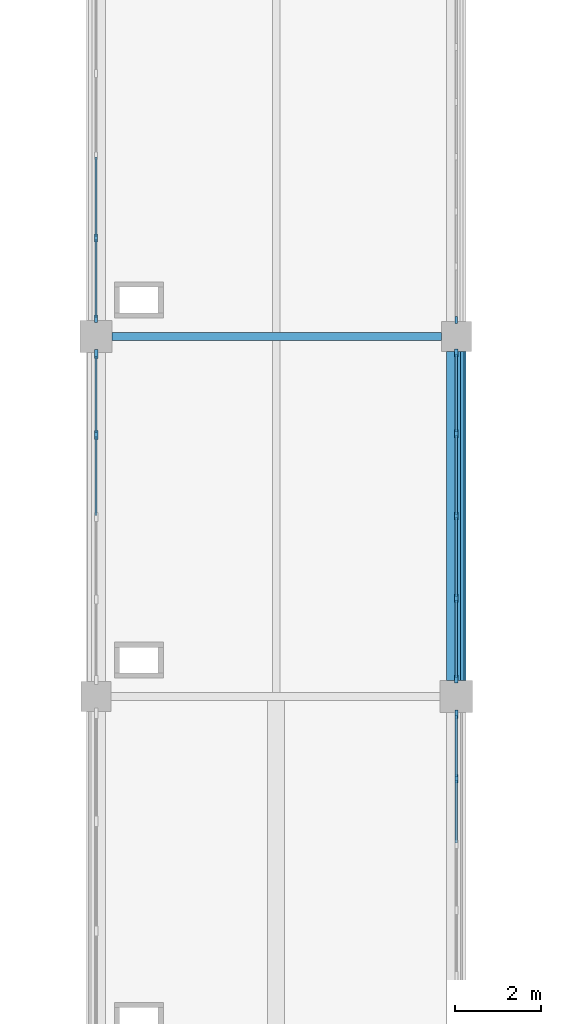
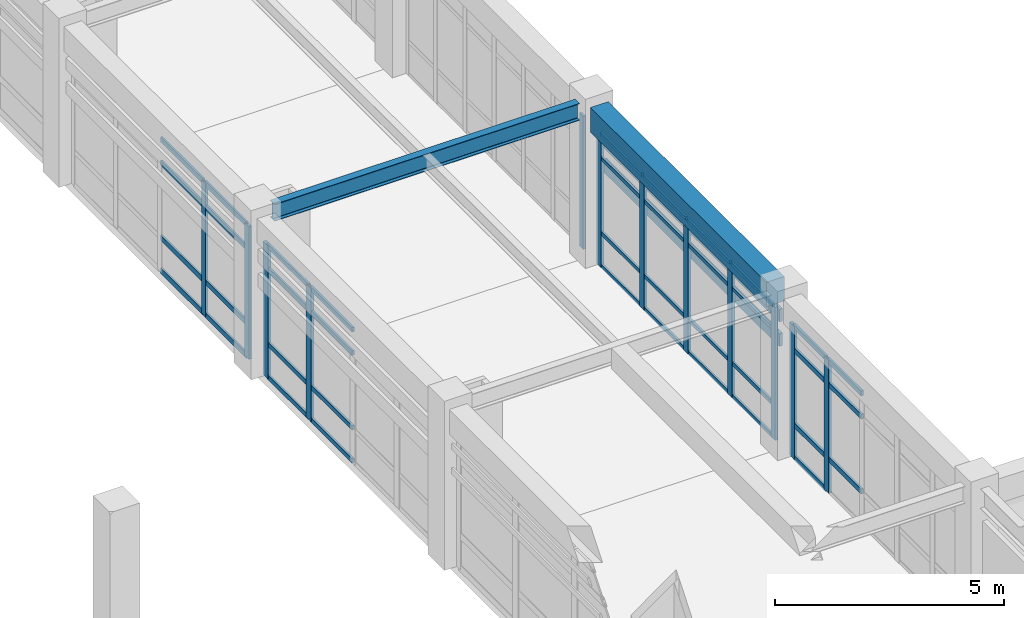
# One storey, part 12 of 78: 53 members, 2 beams, 5 elements without a shape of their own.
"""IFC4 building model written with IfcOpenShell, lengths in metres."""

from ifc_helpers import new_model, si_unit, direction, frame, origin, origin_2d, place, context, subcontext, project, spatial, rectangle, i_section, extrude, material, layer, layer_set, material_profile, profile_set, type_object, element, aggregate, save


model = new_model("IFC4")

# Units and contexts
model_context = context("Model", 3, precision=1e-05, world=origin(), true_north=direction((0.0, 1.0)))
body_context = subcontext(model_context, "Body", "Model", "MODEL_VIEW")
ifc_project = project(units=[si_unit("LENGTHUNIT", "METRE"), si_unit("AREAUNIT", "SQUARE_METRE"), si_unit("VOLUMEUNIT", "CUBIC_METRE"), si_unit("PLANEANGLEUNIT", "RADIAN"), si_unit("MASSUNIT", "GRAM", prefix="KILO")], contexts=[model_context])

# Site, building, storey
site_placement = place(None, origin())
site = spatial("IfcSite", under=ifc_project, at=site_placement, CompositionType="ELEMENT")
building_placement = place(site_placement, origin())
building = spatial("IfcBuilding", under=site, at=building_placement, Name="Porcellanite Civic Hall", CompositionType="ELEMENT")
storey_placement = place(building_placement, frame((0.0, 0.0, 10.260009765625)))
storey = spatial("IfcBuildingStorey", under=building, at=storey_placement, Name="L02", CompositionType="ELEMENT", Elevation=10.260009765625)

# Beam
ifc_material_1 = material(Name="Concrete N50 (50 MPa)", Category="concrete")
ifc_material_profile_1 = material_profile(ifc_material_1, rectangle(XDim=0.449951171875, YDim=0.64990234375, at=origin_2d()), Name="RC-450x650")
ifc_profile_set_1 = profile_set([ifc_material_profile_1], Name="Concrete N50 (50 MPa)")
beam_type_1 = type_object("IfcBeamType", Name="BM-RC650", PredefinedType="SPANDREL", material=ifc_profile_set_1)
beam_1_placement = place(storey_placement, frame((58.800048828125, 75.974609375, 3.9150390625), z_axis=(0.0, 1.0, 0.0), x_axis=(-1.0, 0.0, 0.0)))
element("IfcBeam", 1, at=beam_1_placement, inside=storey, type_object=beam_type_1, Name="Beam Y L02 8-10", PredefinedType="SPANDREL", context=body_context, shape_type="SweptSolid", body=[
    extrude(rectangle(XDim=0.449951171875, YDim=0.64990234375, at=origin_2d()), origin(), (0.0, 0.0, 1.0), 7.67578125),
])

# Curtain wall, members
ifc_material_2 = material(Name="Anodised aluminium and solar laminated glass", Category="aluminium")
ifc_layer_1 = layer(ifc_material_2, 0.179931640625)
ifc_layer_set_1 = layer_set([ifc_layer_1], Name="Anodised aluminium and solar laminated glass")
curtain_wall_type_1 = type_object("IfcCurtainWallType", Name="CW-SYS03", PredefinedType="NOTDEFINED", material=ifc_layer_set_1)
curtain_wall_1_placement = place(storey_placement, origin())
curtain_wall_1 = element("IfcCurtainWall", 2, at=curtain_wall_1_placement, inside=storey, type_object=curtain_wall_type_1, Name="Curtain wall CW-144", PredefinedType="NOTDEFINED")
ifc_material_3 = material(Name="Anodised aluminium 6063-T6", Category="aluminium")
ifc_material_profile_2 = material_profile(ifc_material_3, rectangle(XDim=0.080078125, YDim=0.2099609375, at=origin_2d()), Name="AL-80x210")
ifc_profile_set_2 = profile_set([ifc_material_profile_2], Name="Anodised aluminium 6063-T6")
member_type_1 = type_object("IfcMemberType", Name="CWM-02", PredefinedType="MULLION", material=ifc_profile_set_2)
member_1_placement = place(storey_placement, frame((50.39990234375, 81.705810546875, 0.0), z_axis=(0.0, 0.0, 1.0), x_axis=(-1.0, 0.0, 0.0)))
member_1 = element("IfcMember", 3, at=member_1_placement, type_object=member_type_1, Name="CW-144 mullion 4", PredefinedType="MULLION", context=body_context, shape_type="SweptSolid", body=[
    extrude(rectangle(XDim=0.080078125, YDim=0.2099609375, at=origin_2d()), origin(), (0.0, 0.0, 1.0), 3.5400390625),
])
member_2_placement = place(storey_placement, frame((50.39990234375, 83.583984375, 0.0), z_axis=(0.0, 0.0, 1.0), x_axis=(-1.0, 0.0, 0.0)))
member_2 = element("IfcMember", 4, at=member_2_placement, type_object=member_type_1, Name="CW-144 mullion 5", PredefinedType="MULLION", context=body_context, shape_type="SweptSolid", body=[
    extrude(rectangle(XDim=0.080078125, YDim=0.2099609375, at=origin_2d()), origin(), (0.0, 0.0, 1.0), 3.5400390625),
])

ifc_material_4 = material(Name="Anodised aluminium and solar laminated glass", Category="aluminium")
ifc_layer_2 = layer(ifc_material_4, 0.179931640625)
ifc_layer_set_2 = layer_set([ifc_layer_2], Name="Anodised aluminium and solar laminated glass")
curtain_wall_type_2 = type_object("IfcCurtainWallType", Name="CW-SYS04", PredefinedType="NOTDEFINED", material=ifc_layer_set_2)
curtain_wall_2_placement = place(storey_placement, origin())
curtain_wall_2 = element("IfcCurtainWall", 5, at=curtain_wall_2_placement, inside=storey, type_object=curtain_wall_type_2, Name="Curtain wall CW-145", PredefinedType="NOTDEFINED")
ifc_material_5 = material(Name="Anodised aluminium 6063-T6", Category="aluminium")
ifc_material_profile_3 = material_profile(ifc_material_5, rectangle(XDim=0.074951171875, YDim=0.18994140625, at=origin_2d()), Name="AL-75x190")
ifc_profile_set_3 = profile_set([ifc_material_profile_3], Name="Anodised aluminium 6063-T6")
member_type_2 = type_object("IfcMemberType", Name="CWM-04", PredefinedType="MULLION", material=ifc_profile_set_3)
member_3_placement = place(storey_placement, frame((58.800048828125, 83.611572265625, 0.0), z_axis=(0.0, 0.0, 1.0), x_axis=(1.0, 0.0, 0.0)))
member_3 = element("IfcMember", 6, at=member_3_placement, type_object=member_type_2, Name="CW-145 mullion 1", PredefinedType="MULLION", context=body_context, shape_type="SweptSolid", body=[
    extrude(rectangle(XDim=0.074951171875, YDim=0.18994140625, at=origin_2d()), origin(), (0.0, 0.0, 1.0), 3.5400390625),
])
member_4_placement = place(storey_placement, frame((58.800048828125, 81.730712890625, 0.0), z_axis=(0.0, 0.0, 1.0), x_axis=(1.0, 0.0, 0.0)))
member_4 = element("IfcMember", 7, at=member_4_placement, type_object=member_type_2, Name="CW-145 mullion 2", PredefinedType="MULLION", context=body_context, shape_type="SweptSolid", body=[
    extrude(rectangle(XDim=0.074951171875, YDim=0.18994140625, at=origin_2d()), origin(), (0.0, 0.0, 1.0), 3.5400390625),
])
member_5_placement = place(storey_placement, frame((58.800048828125, 79.8125, 0.0), z_axis=(0.0, 0.0, 1.0), x_axis=(1.0, 0.0, 0.0)))
member_5 = element("IfcMember", 8, at=member_5_placement, type_object=member_type_2, Name="CW-145 mullion 3", PredefinedType="MULLION", context=body_context, shape_type="SweptSolid", body=[
    extrude(rectangle(XDim=0.074951171875, YDim=0.18994140625, at=origin_2d()), origin(), (0.0, 0.0, 1.0), 3.5400390625),
])
member_6_placement = place(storey_placement, frame((58.800048828125, 77.894287109375, 0.0), z_axis=(0.0, 0.0, 1.0), x_axis=(1.0, 0.0, 0.0)))
member_6 = element("IfcMember", 9, at=member_6_placement, type_object=member_type_2, Name="CW-145 mullion 4", PredefinedType="MULLION", context=body_context, shape_type="SweptSolid", body=[
    extrude(rectangle(XDim=0.074951171875, YDim=0.18994140625, at=origin_2d()), origin(), (0.0, 0.0, 1.0), 3.5400390625),
])
member_7_placement = place(storey_placement, frame((58.800048828125, 76.013427734375, 0.0), z_axis=(0.0, 0.0, 1.0), x_axis=(1.0, 0.0, 0.0)))
member_7 = element("IfcMember", 10, at=member_7_placement, type_object=member_type_2, Name="CW-145 mullion 5", PredefinedType="MULLION", context=body_context, shape_type="SweptSolid", body=[
    extrude(rectangle(XDim=0.074951171875, YDim=0.18994140625, at=origin_2d()), origin(), (0.0, 0.0, 1.0), 3.5400390625),
])

ifc_material_6 = material(Name="Anodised aluminium and solar laminated glass", Category="aluminium")
ifc_layer_3 = layer(ifc_material_6, 0.179931640625)
ifc_layer_set_3 = layer_set([ifc_layer_3], Name="Anodised aluminium and solar laminated glass")
curtain_wall_type_3 = type_object("IfcCurtainWallType", Name="CW-SYS01", PredefinedType="NOTDEFINED", material=ifc_layer_set_3)
curtain_wall_3_placement = place(storey_placement, origin())
curtain_wall_3 = element("IfcCurtainWall", 11, at=curtain_wall_3_placement, inside=storey, type_object=curtain_wall_type_3, Name="Curtain wall CW-143", PredefinedType="NOTDEFINED")
ifc_material_7 = material(Name="Anodised aluminium 6063-T6", Category="aluminium")
ifc_material_profile_4 = material_profile(ifc_material_7, rectangle(XDim=0.070068359375, YDim=0.199951171875, at=origin_2d()), Name="AL-70x200")
ifc_profile_set_4 = profile_set([ifc_material_profile_4], Name="Anodised aluminium 6063-T6")
member_type_3 = type_object("IfcMemberType", Name="CWM-05", PredefinedType="MULLION", material=ifc_profile_set_4)
member_8_placement = place(storey_placement, frame((58.800048828125, 75.18896484375, 0.0), z_axis=(0.0, 0.0, 1.0), x_axis=(1.0, 0.0, 0.0)))
member_8 = element("IfcMember", 12, at=member_8_placement, type_object=member_type_3, Name="CW-143 mullion 1", PredefinedType="MULLION", context=body_context, shape_type="SweptSolid", body=[
    extrude(rectangle(XDim=0.070068359375, YDim=0.199951171875, at=origin_2d()), origin(), (0.0, 0.0, 1.0), 3.5400390625),
])
member_9_placement = place(storey_placement, frame((58.800048828125, 73.689453125, 0.0), z_axis=(0.0, 0.0, 1.0), x_axis=(1.0, 0.0, 0.0)))
member_9 = element("IfcMember", 13, at=member_9_placement, type_object=member_type_3, Name="CW-143 mullion 2", PredefinedType="MULLION", context=body_context, shape_type="SweptSolid", body=[
    extrude(rectangle(XDim=0.070068359375, YDim=0.199951171875, at=origin_2d()), origin(), (0.0, 0.0, 1.0), 3.5400390625),
])

ifc_material_8 = material(Name="Anodised aluminium and solar laminated glass", Category="aluminium")
ifc_layer_4 = layer(ifc_material_8, 0.179931640625)
ifc_layer_set_4 = layer_set([ifc_layer_4], Name="Anodised aluminium and solar laminated glass")
curtain_wall_type_4 = type_object("IfcCurtainWallType", Name="CW-SYS06", PredefinedType="NOTDEFINED", material=ifc_layer_set_4)
curtain_wall_4_placement = place(storey_placement, origin())
curtain_wall_4 = element("IfcCurtainWall", 14, at=curtain_wall_4_placement, inside=storey, type_object=curtain_wall_type_4, Name="Curtain wall CW-146", PredefinedType="NOTDEFINED")
ifc_material_9 = material(Name="Anodised aluminium 6063-T6", Category="aluminium")
ifc_material_profile_5 = material_profile(ifc_material_9, rectangle(XDim=0.06494140625, YDim=0.179931640625, at=origin_2d()), Name="AL-65x180")
ifc_profile_set_5 = profile_set([ifc_material_profile_5], Name="Anodised aluminium 6063-T6")
member_type_4 = type_object("IfcMemberType", Name="CWM-06", PredefinedType="MULLION", material=ifc_profile_set_5)
member_10_placement = place(storey_placement, frame((50.39990234375, 84.408447265625, 0.0), z_axis=(0.0, 0.0, 1.0), x_axis=(-1.0, 0.0, 0.0)))
member_10 = element("IfcMember", 15, at=member_10_placement, type_object=member_type_4, Name="CW-146 mullion 1", PredefinedType="MULLION", context=body_context, shape_type="SweptSolid", body=[
    extrude(rectangle(XDim=0.06494140625, YDim=0.179931640625, at=origin_2d()), origin(), (0.0, 0.0, 1.0), 3.5400390625),
])
member_11_placement = place(storey_placement, frame((50.39990234375, 86.294189453125, 0.0), z_axis=(0.0, 0.0, 1.0), x_axis=(-1.0, 0.0, 0.0)))
member_11 = element("IfcMember", 16, at=member_11_placement, type_object=member_type_4, Name="CW-146 mullion 2", PredefinedType="MULLION", context=body_context, shape_type="SweptSolid", body=[
    extrude(rectangle(XDim=0.06494140625, YDim=0.179931640625, at=origin_2d()), origin(), (0.0, 0.0, 1.0), 3.5400390625),
])

# Curtain wall, member
ifc_material_10 = material(Name="Anodised aluminium and solar laminated glass", Category="aluminium")
ifc_layer_5 = layer(ifc_material_10, 0.179931640625)
ifc_layer_set_5 = layer_set([ifc_layer_5], Name="Anodised aluminium and solar laminated glass")
curtain_wall_type_5 = type_object("IfcCurtainWallType", Name="CW-SYS07", PredefinedType="NOTDEFINED", material=ifc_layer_set_5)
curtain_wall_5_placement = place(storey_placement, origin())
curtain_wall_5 = element("IfcCurtainWall", 17, at=curtain_wall_5_placement, inside=storey, type_object=curtain_wall_type_5, Name="Curtain wall CW-147", PredefinedType="NOTDEFINED")
ifc_material_11 = material(Name="Anodised aluminium 6063-T6", Category="aluminium")
ifc_material_profile_6 = material_profile(ifc_material_11, rectangle(XDim=0.06005859375, YDim=0.159912109375, at=origin_2d()), Name="AL-60x160")
ifc_profile_set_6 = profile_set([ifc_material_profile_6], Name="Anodised aluminium 6063-T6")
member_type_5 = type_object("IfcMemberType", Name="CWM-07", PredefinedType="MULLION", material=ifc_profile_set_6)
member_12_placement = place(storey_placement, frame((58.800048828125, 84.381103515625, 0.0), z_axis=(0.0, 0.0, 1.0), x_axis=(1.0, 0.0, 0.0)))
member_12 = element("IfcMember", 18, at=member_12_placement, type_object=member_type_5, Name="CW-147 mullion 7", PredefinedType="MULLION", context=body_context, shape_type="SweptSolid", body=[
    extrude(rectangle(XDim=0.06005859375, YDim=0.159912109375, at=origin_2d()), origin(), (0.0, 0.0, 1.0), 3.5400390625),
])
aggregate(curtain_wall_5, [member_12])

# Member
ifc_material_12 = material(Name="Anodised aluminium 6063-T6", Category="aluminium")
ifc_material_profile_7 = material_profile(ifc_material_12, rectangle(XDim=0.06005859375, YDim=0.1298828125, at=origin_2d()), Name="AL-60x130")
ifc_profile_set_7 = profile_set([ifc_material_profile_7], Name="Anodised aluminium 6063-T6")
member_type_6 = type_object("IfcMemberType", Name="CWT-03", PredefinedType="USERDEFINED", material=ifc_profile_set_7)
member_13_placement = place(storey_placement, frame((58.800048828125, 75.154052734375, 0.030029296875), z_axis=(0.0, -1.0, 0.0), x_axis=(1.0, 0.0, 0.0)))
member_13 = element("IfcMember", 19, at=member_13_placement, type_object=member_type_6, Name="CW-143 transom 1.1", ObjectType="TRANSOM", PredefinedType="USERDEFINED", context=body_context, shape_type="SweptSolid", body=[
    extrude(rectangle(XDim=0.06005859375, YDim=0.1298828125, at=origin_2d()), origin(), (0.0, 0.0, 1.0), 1.4296875),
])

member_14_placement = place(storey_placement, frame((58.800048828125, 75.154052734375, 0.89990234375), z_axis=(0.0, -1.0, 0.0), x_axis=(1.0, 0.0, 0.0)))
member_14 = element("IfcMember", 20, at=member_14_placement, type_object=member_type_6, Name="CW-143 transom 1.2", ObjectType="TRANSOM", PredefinedType="USERDEFINED", context=body_context, shape_type="SweptSolid", body=[
    extrude(rectangle(XDim=0.06005859375, YDim=0.1298828125, at=origin_2d()), origin(), (0.0, 0.0, 1.0), 1.4296875),
])

member_15_placement = place(storey_placement, frame((58.800048828125, 75.154052734375, 2.889892578125), z_axis=(0.0, -1.0, 0.0), x_axis=(1.0, 0.0, 0.0)))
member_15 = element("IfcMember", 21, at=member_15_placement, type_object=member_type_6, Name="CW-143 transom 1.3", ObjectType="TRANSOM", PredefinedType="USERDEFINED", context=body_context, shape_type="SweptSolid", body=[
    extrude(rectangle(XDim=0.06005859375, YDim=0.1298828125, at=origin_2d()), origin(), (0.0, 0.0, 1.0), 1.4296875),
])

member_16_placement = place(storey_placement, frame((58.800048828125, 75.154052734375, 3.510009765625), z_axis=(0.0, -1.0, 0.0), x_axis=(1.0, 0.0, 0.0)))
member_16 = element("IfcMember", 22, at=member_16_placement, type_object=member_type_6, Name="CW-143 transom 1.4", ObjectType="TRANSOM", PredefinedType="USERDEFINED", context=body_context, shape_type="SweptSolid", body=[
    extrude(rectangle(XDim=0.06005859375, YDim=0.1298828125, at=origin_2d()), origin(), (0.0, 0.0, 1.0), 1.4296875),
])

member_17_placement = place(storey_placement, frame((58.800048828125, 73.654296875, 0.89990234375), z_axis=(0.0, -1.0, 0.0), x_axis=(1.0, 0.0, 0.0)))
member_17 = element("IfcMember", 23, at=member_17_placement, type_object=member_type_6, Name="CW-143 transom 2.2", ObjectType="TRANSOM", PredefinedType="USERDEFINED", context=body_context, shape_type="SweptSolid", body=[
    extrude(rectangle(XDim=0.06005859375, YDim=0.1298828125, at=origin_2d()), origin(), (0.0, 0.0, 1.0), 1.464599609375),
])

member_18_placement = place(storey_placement, frame((58.800048828125, 73.654296875, 2.889892578125), z_axis=(0.0, -1.0, 0.0), x_axis=(1.0, 0.0, 0.0)))
member_18 = element("IfcMember", 24, at=member_18_placement, type_object=member_type_6, Name="CW-143 transom 2.3", ObjectType="TRANSOM", PredefinedType="USERDEFINED", context=body_context, shape_type="SweptSolid", body=[
    extrude(rectangle(XDim=0.06005859375, YDim=0.1298828125, at=origin_2d()), origin(), (0.0, 0.0, 1.0), 1.464599609375),
])

member_19_placement = place(storey_placement, frame((58.800048828125, 73.654296875, 3.510009765625), z_axis=(0.0, -1.0, 0.0), x_axis=(1.0, 0.0, 0.0)))
member_19 = element("IfcMember", 25, at=member_19_placement, type_object=member_type_6, Name="CW-143 transom 2.4", ObjectType="TRANSOM", PredefinedType="USERDEFINED", context=body_context, shape_type="SweptSolid", body=[
    extrude(rectangle(XDim=0.06005859375, YDim=0.1298828125, at=origin_2d()), origin(), (0.0, 0.0, 1.0), 1.464599609375),
])

aggregate(curtain_wall_3, [member_8, member_9, member_13, member_14, member_15, member_16, member_17, member_18, member_19])

ifc_material_13 = material(Name="Anodised aluminium 6063-T6", Category="aluminium")
ifc_material_profile_8 = material_profile(ifc_material_13, rectangle(XDim=0.054931640625, YDim=0.1201171875, at=origin_2d()), Name="AL-55x120")
ifc_profile_set_8 = profile_set([ifc_material_profile_8], Name="Anodised aluminium 6063-T6")
member_type_7 = type_object("IfcMemberType", Name="CWT-04", PredefinedType="USERDEFINED", material=ifc_profile_set_8)
member_20_placement = place(storey_placement, frame((50.39990234375, 79.827392578125, 0.027587890625), z_axis=(0.0, 1.0, 0.0), x_axis=(-1.0, 0.0, 0.0)))
member_20 = element("IfcMember", 26, at=member_20_placement, type_object=member_type_7, Name="CW-144 transom 3.1", ObjectType="TRANSOM", PredefinedType="USERDEFINED", context=body_context, shape_type="SweptSolid", body=[
    extrude(rectangle(XDim=0.054931640625, YDim=0.1201171875, at=origin_2d()), origin(), (0.0, 0.0, 1.0), 1.83837890625),
])

member_21_placement = place(storey_placement, frame((50.39990234375, 79.827392578125, 0.89990234375), z_axis=(0.0, 1.0, 0.0), x_axis=(-1.0, 0.0, 0.0)))
member_21 = element("IfcMember", 27, at=member_21_placement, type_object=member_type_7, Name="CW-144 transom 3.2", ObjectType="TRANSOM", PredefinedType="USERDEFINED", context=body_context, shape_type="SweptSolid", body=[
    extrude(rectangle(XDim=0.054931640625, YDim=0.1201171875, at=origin_2d()), origin(), (0.0, 0.0, 1.0), 1.83837890625),
])

member_22_placement = place(storey_placement, frame((50.39990234375, 79.827392578125, 2.889892578125), z_axis=(0.0, 1.0, 0.0), x_axis=(-1.0, 0.0, 0.0)))
member_22 = element("IfcMember", 28, at=member_22_placement, type_object=member_type_7, Name="CW-144 transom 3.3", ObjectType="TRANSOM", PredefinedType="USERDEFINED", context=body_context, shape_type="SweptSolid", body=[
    extrude(rectangle(XDim=0.054931640625, YDim=0.1201171875, at=origin_2d()), origin(), (0.0, 0.0, 1.0), 1.83837890625),
])

member_23_placement = place(storey_placement, frame((50.39990234375, 79.827392578125, 3.512451171875), z_axis=(0.0, 1.0, 0.0), x_axis=(-1.0, 0.0, 0.0)))
member_23 = element("IfcMember", 29, at=member_23_placement, type_object=member_type_7, Name="CW-144 transom 3.4", ObjectType="TRANSOM", PredefinedType="USERDEFINED", context=body_context, shape_type="SweptSolid", body=[
    extrude(rectangle(XDim=0.054931640625, YDim=0.1201171875, at=origin_2d()), origin(), (0.0, 0.0, 1.0), 1.83837890625),
])

member_24_placement = place(storey_placement, frame((50.39990234375, 81.745849609375, 0.027587890625), z_axis=(0.0, 1.0, 0.0), x_axis=(-1.0, 0.0, 0.0)))
member_24 = element("IfcMember", 30, at=member_24_placement, type_object=member_type_7, Name="CW-144 transom 4.1", ObjectType="TRANSOM", PredefinedType="USERDEFINED", context=body_context, shape_type="SweptSolid", body=[
    extrude(rectangle(XDim=0.054931640625, YDim=0.1201171875, at=origin_2d()), origin(), (0.0, 0.0, 1.0), 1.798095703125),
])

member_25_placement = place(storey_placement, frame((50.39990234375, 81.745849609375, 0.89990234375), z_axis=(0.0, 1.0, 0.0), x_axis=(-1.0, 0.0, 0.0)))
member_25 = element("IfcMember", 31, at=member_25_placement, type_object=member_type_7, Name="CW-144 transom 4.2", ObjectType="TRANSOM", PredefinedType="USERDEFINED", context=body_context, shape_type="SweptSolid", body=[
    extrude(rectangle(XDim=0.054931640625, YDim=0.1201171875, at=origin_2d()), origin(), (0.0, 0.0, 1.0), 1.798095703125),
])

member_26_placement = place(storey_placement, frame((50.39990234375, 81.745849609375, 2.889892578125), z_axis=(0.0, 1.0, 0.0), x_axis=(-1.0, 0.0, 0.0)))
member_26 = element("IfcMember", 32, at=member_26_placement, type_object=member_type_7, Name="CW-144 transom 4.3", ObjectType="TRANSOM", PredefinedType="USERDEFINED", context=body_context, shape_type="SweptSolid", body=[
    extrude(rectangle(XDim=0.054931640625, YDim=0.1201171875, at=origin_2d()), origin(), (0.0, 0.0, 1.0), 1.798095703125),
])

member_27_placement = place(storey_placement, frame((50.39990234375, 81.745849609375, 3.512451171875), z_axis=(0.0, 1.0, 0.0), x_axis=(-1.0, 0.0, 0.0)))
member_27 = element("IfcMember", 33, at=member_27_placement, type_object=member_type_7, Name="CW-144 transom 4.4", ObjectType="TRANSOM", PredefinedType="USERDEFINED", context=body_context, shape_type="SweptSolid", body=[
    extrude(rectangle(XDim=0.054931640625, YDim=0.1201171875, at=origin_2d()), origin(), (0.0, 0.0, 1.0), 1.798095703125),
])

aggregate(curtain_wall_1, [member_1, member_2, member_20, member_21, member_22, member_23, member_24, member_25, member_26, member_27])

ifc_material_14 = material(Name="Anodised aluminium 6063-T6", Category="aluminium")
ifc_material_profile_9 = material_profile(ifc_material_14, rectangle(XDim=0.054931640625, YDim=0.10009765625, at=origin_2d()), Name="AL-55x100")
ifc_profile_set_9 = profile_set([ifc_material_profile_9], Name="Anodised aluminium 6063-T6")
member_type_8 = type_object("IfcMemberType", Name="CWT-05", PredefinedType="USERDEFINED", material=ifc_profile_set_9)
member_28_placement = place(storey_placement, frame((58.800048828125, 83.573974609375, 0.027587890625), z_axis=(0.0, -1.0, 0.0), x_axis=(1.0, 0.0, 0.0)))
member_28 = element("IfcMember", 34, at=member_28_placement, type_object=member_type_8, Name="CW-145 transom 1.1", ObjectType="TRANSOM", PredefinedType="USERDEFINED", context=body_context, shape_type="SweptSolid", body=[
    extrude(rectangle(XDim=0.054931640625, YDim=0.10009765625, at=origin_2d()), origin(), (0.0, 0.0, 1.0), 1.8056640625),
])

member_29_placement = place(storey_placement, frame((58.800048828125, 83.573974609375, 0.89990234375), z_axis=(0.0, -1.0, 0.0), x_axis=(1.0, 0.0, 0.0)))
member_29 = element("IfcMember", 35, at=member_29_placement, type_object=member_type_8, Name="CW-145 transom 1.2", ObjectType="TRANSOM", PredefinedType="USERDEFINED", context=body_context, shape_type="SweptSolid", body=[
    extrude(rectangle(XDim=0.054931640625, YDim=0.10009765625, at=origin_2d()), origin(), (0.0, 0.0, 1.0), 1.8056640625),
])

member_30_placement = place(storey_placement, frame((58.800048828125, 83.573974609375, 2.889892578125), z_axis=(0.0, -1.0, 0.0), x_axis=(1.0, 0.0, 0.0)))
member_30 = element("IfcMember", 36, at=member_30_placement, type_object=member_type_8, Name="CW-145 transom 1.3", ObjectType="TRANSOM", PredefinedType="USERDEFINED", context=body_context, shape_type="SweptSolid", body=[
    extrude(rectangle(XDim=0.054931640625, YDim=0.10009765625, at=origin_2d()), origin(), (0.0, 0.0, 1.0), 1.8056640625),
])

member_31_placement = place(storey_placement, frame((58.800048828125, 83.573974609375, 3.512451171875), z_axis=(0.0, -1.0, 0.0), x_axis=(1.0, 0.0, 0.0)))
member_31 = element("IfcMember", 37, at=member_31_placement, type_object=member_type_8, Name="CW-145 transom 1.4", ObjectType="TRANSOM", PredefinedType="USERDEFINED", context=body_context, shape_type="SweptSolid", body=[
    extrude(rectangle(XDim=0.054931640625, YDim=0.10009765625, at=origin_2d()), origin(), (0.0, 0.0, 1.0), 1.8056640625),
])

member_32_placement = place(storey_placement, frame((58.800048828125, 81.693359375, 0.027587890625), z_axis=(0.0, -1.0, 0.0), x_axis=(1.0, 0.0, 0.0)))
member_32 = element("IfcMember", 38, at=member_32_placement, type_object=member_type_8, Name="CW-145 transom 2.1", ObjectType="TRANSOM", PredefinedType="USERDEFINED", context=body_context, shape_type="SweptSolid", body=[
    extrude(rectangle(XDim=0.054931640625, YDim=0.10009765625, at=origin_2d()), origin(), (0.0, 0.0, 1.0), 1.84326171875),
])

member_33_placement = place(storey_placement, frame((58.800048828125, 81.693359375, 0.89990234375), z_axis=(0.0, -1.0, 0.0), x_axis=(1.0, 0.0, 0.0)))
member_33 = element("IfcMember", 39, at=member_33_placement, type_object=member_type_8, Name="CW-145 transom 2.2", ObjectType="TRANSOM", PredefinedType="USERDEFINED", context=body_context, shape_type="SweptSolid", body=[
    extrude(rectangle(XDim=0.054931640625, YDim=0.10009765625, at=origin_2d()), origin(), (0.0, 0.0, 1.0), 1.84326171875),
])

member_34_placement = place(storey_placement, frame((58.800048828125, 81.693359375, 2.889892578125), z_axis=(0.0, -1.0, 0.0), x_axis=(1.0, 0.0, 0.0)))
member_34 = element("IfcMember", 40, at=member_34_placement, type_object=member_type_8, Name="CW-145 transom 2.3", ObjectType="TRANSOM", PredefinedType="USERDEFINED", context=body_context, shape_type="SweptSolid", body=[
    extrude(rectangle(XDim=0.054931640625, YDim=0.10009765625, at=origin_2d()), origin(), (0.0, 0.0, 1.0), 1.84326171875),
])

member_35_placement = place(storey_placement, frame((58.800048828125, 81.693359375, 3.512451171875), z_axis=(0.0, -1.0, 0.0), x_axis=(1.0, 0.0, 0.0)))
member_35 = element("IfcMember", 41, at=member_35_placement, type_object=member_type_8, Name="CW-145 transom 2.4", ObjectType="TRANSOM", PredefinedType="USERDEFINED", context=body_context, shape_type="SweptSolid", body=[
    extrude(rectangle(XDim=0.054931640625, YDim=0.10009765625, at=origin_2d()), origin(), (0.0, 0.0, 1.0), 1.84326171875),
])

member_36_placement = place(storey_placement, frame((58.800048828125, 79.77490234375, 0.027587890625), z_axis=(0.0, -1.0, 0.0), x_axis=(1.0, 0.0, 0.0)))
member_36 = element("IfcMember", 42, at=member_36_placement, type_object=member_type_8, Name="CW-145 transom 3.1", ObjectType="TRANSOM", PredefinedType="USERDEFINED", context=body_context, shape_type="SweptSolid", body=[
    extrude(rectangle(XDim=0.054931640625, YDim=0.10009765625, at=origin_2d()), origin(), (0.0, 0.0, 1.0), 1.84326171875),
])

member_37_placement = place(storey_placement, frame((58.800048828125, 79.77490234375, 0.89990234375), z_axis=(0.0, -1.0, 0.0), x_axis=(1.0, 0.0, 0.0)))
member_37 = element("IfcMember", 43, at=member_37_placement, type_object=member_type_8, Name="CW-145 transom 3.2", ObjectType="TRANSOM", PredefinedType="USERDEFINED", context=body_context, shape_type="SweptSolid", body=[
    extrude(rectangle(XDim=0.054931640625, YDim=0.10009765625, at=origin_2d()), origin(), (0.0, 0.0, 1.0), 1.84326171875),
])

member_38_placement = place(storey_placement, frame((58.800048828125, 79.77490234375, 2.889892578125), z_axis=(0.0, -1.0, 0.0), x_axis=(1.0, 0.0, 0.0)))
member_38 = element("IfcMember", 44, at=member_38_placement, type_object=member_type_8, Name="CW-145 transom 3.3", ObjectType="TRANSOM", PredefinedType="USERDEFINED", context=body_context, shape_type="SweptSolid", body=[
    extrude(rectangle(XDim=0.054931640625, YDim=0.10009765625, at=origin_2d()), origin(), (0.0, 0.0, 1.0), 1.84326171875),
])

member_39_placement = place(storey_placement, frame((58.800048828125, 79.77490234375, 3.512451171875), z_axis=(0.0, -1.0, 0.0), x_axis=(1.0, 0.0, 0.0)))
member_39 = element("IfcMember", 45, at=member_39_placement, type_object=member_type_8, Name="CW-145 transom 3.4", ObjectType="TRANSOM", PredefinedType="USERDEFINED", context=body_context, shape_type="SweptSolid", body=[
    extrude(rectangle(XDim=0.054931640625, YDim=0.10009765625, at=origin_2d()), origin(), (0.0, 0.0, 1.0), 1.84326171875),
])

member_40_placement = place(storey_placement, frame((58.800048828125, 77.856689453125, 0.027587890625), z_axis=(0.0, -1.0, 0.0), x_axis=(1.0, 0.0, 0.0)))
member_40 = element("IfcMember", 46, at=member_40_placement, type_object=member_type_8, Name="CW-145 transom 4.1", ObjectType="TRANSOM", PredefinedType="USERDEFINED", context=body_context, shape_type="SweptSolid", body=[
    extrude(rectangle(XDim=0.054931640625, YDim=0.10009765625, at=origin_2d()), origin(), (0.0, 0.0, 1.0), 1.8056640625),
])

member_41_placement = place(storey_placement, frame((58.800048828125, 77.856689453125, 0.89990234375), z_axis=(0.0, -1.0, 0.0), x_axis=(1.0, 0.0, 0.0)))
member_41 = element("IfcMember", 47, at=member_41_placement, type_object=member_type_8, Name="CW-145 transom 4.2", ObjectType="TRANSOM", PredefinedType="USERDEFINED", context=body_context, shape_type="SweptSolid", body=[
    extrude(rectangle(XDim=0.054931640625, YDim=0.10009765625, at=origin_2d()), origin(), (0.0, 0.0, 1.0), 1.8056640625),
])

member_42_placement = place(storey_placement, frame((58.800048828125, 77.856689453125, 2.889892578125), z_axis=(0.0, -1.0, 0.0), x_axis=(1.0, 0.0, 0.0)))
member_42 = element("IfcMember", 48, at=member_42_placement, type_object=member_type_8, Name="CW-145 transom 4.3", ObjectType="TRANSOM", PredefinedType="USERDEFINED", context=body_context, shape_type="SweptSolid", body=[
    extrude(rectangle(XDim=0.054931640625, YDim=0.10009765625, at=origin_2d()), origin(), (0.0, 0.0, 1.0), 1.8056640625),
])

member_43_placement = place(storey_placement, frame((58.800048828125, 77.856689453125, 3.512451171875), z_axis=(0.0, -1.0, 0.0), x_axis=(1.0, 0.0, 0.0)))
member_43 = element("IfcMember", 49, at=member_43_placement, type_object=member_type_8, Name="CW-145 transom 4.4", ObjectType="TRANSOM", PredefinedType="USERDEFINED", context=body_context, shape_type="SweptSolid", body=[
    extrude(rectangle(XDim=0.054931640625, YDim=0.10009765625, at=origin_2d()), origin(), (0.0, 0.0, 1.0), 1.8056640625),
])

aggregate(curtain_wall_2, [member_3, member_4, member_5, member_6, member_7, member_28, member_29, member_30, member_31, member_32, member_33, member_34, member_35, member_36, member_37, member_38, member_39, member_40, member_41, member_42, member_43])

ifc_material_15 = material(Name="Anodised aluminium 6063-T6", Category="aluminium")
ifc_material_profile_10 = material_profile(ifc_material_15, rectangle(XDim=0.050048828125, YDim=0.139892578125, at=origin_2d()), Name="AL-50x140")
ifc_profile_set_10 = profile_set([ifc_material_profile_10], Name="Anodised aluminium 6063-T6")
member_type_9 = type_object("IfcMemberType", Name="CWT-06", PredefinedType="USERDEFINED", material=ifc_profile_set_10)
member_44_placement = place(storey_placement, frame((50.39990234375, 84.44091796875, 0.02490234375), z_axis=(0.0, 1.0, 0.0), x_axis=(-1.0, 0.0, 0.0)))
member_44 = element("IfcMember", 50, at=member_44_placement, type_object=member_type_9, Name="CW-146 transom 1.1", ObjectType="TRANSOM", PredefinedType="USERDEFINED", context=body_context, shape_type="SweptSolid", body=[
    extrude(rectangle(XDim=0.050048828125, YDim=0.139892578125, at=origin_2d()), origin(), (0.0, 0.0, 1.0), 1.82080078125),
])

member_45_placement = place(storey_placement, frame((50.39990234375, 84.44091796875, 0.89990234375), z_axis=(0.0, 1.0, 0.0), x_axis=(-1.0, 0.0, 0.0)))
member_45 = element("IfcMember", 51, at=member_45_placement, type_object=member_type_9, Name="CW-146 transom 1.2", ObjectType="TRANSOM", PredefinedType="USERDEFINED", context=body_context, shape_type="SweptSolid", body=[
    extrude(rectangle(XDim=0.050048828125, YDim=0.139892578125, at=origin_2d()), origin(), (0.0, 0.0, 1.0), 1.82080078125),
])

member_46_placement = place(storey_placement, frame((50.39990234375, 84.44091796875, 2.889892578125), z_axis=(0.0, 1.0, 0.0), x_axis=(-1.0, 0.0, 0.0)))
member_46 = element("IfcMember", 52, at=member_46_placement, type_object=member_type_9, Name="CW-146 transom 1.3", ObjectType="TRANSOM", PredefinedType="USERDEFINED", context=body_context, shape_type="SweptSolid", body=[
    extrude(rectangle(XDim=0.050048828125, YDim=0.139892578125, at=origin_2d()), origin(), (0.0, 0.0, 1.0), 1.82080078125),
])

member_47_placement = place(storey_placement, frame((50.39990234375, 84.44091796875, 3.514892578125), z_axis=(0.0, 1.0, 0.0), x_axis=(-1.0, 0.0, 0.0)))
member_47 = element("IfcMember", 53, at=member_47_placement, type_object=member_type_9, Name="CW-146 transom 1.4", ObjectType="TRANSOM", PredefinedType="USERDEFINED", context=body_context, shape_type="SweptSolid", body=[
    extrude(rectangle(XDim=0.050048828125, YDim=0.139892578125, at=origin_2d()), origin(), (0.0, 0.0, 1.0), 1.82080078125),
])

member_48_placement = place(storey_placement, frame((50.39990234375, 86.32666015625, 0.02490234375), z_axis=(0.0, 1.0, 0.0), x_axis=(-1.0, 0.0, 0.0)))
member_48 = element("IfcMember", 54, at=member_48_placement, type_object=member_type_9, Name="CW-146 transom 2.1", ObjectType="TRANSOM", PredefinedType="USERDEFINED", context=body_context, shape_type="SweptSolid", body=[
    extrude(rectangle(XDim=0.050048828125, YDim=0.139892578125, at=origin_2d()), origin(), (0.0, 0.0, 1.0), 1.853271484375),
])

member_49_placement = place(storey_placement, frame((50.39990234375, 86.32666015625, 0.89990234375), z_axis=(0.0, 1.0, 0.0), x_axis=(-1.0, 0.0, 0.0)))
member_49 = element("IfcMember", 55, at=member_49_placement, type_object=member_type_9, Name="CW-146 transom 2.2", ObjectType="TRANSOM", PredefinedType="USERDEFINED", context=body_context, shape_type="SweptSolid", body=[
    extrude(rectangle(XDim=0.050048828125, YDim=0.139892578125, at=origin_2d()), origin(), (0.0, 0.0, 1.0), 1.853271484375),
])

member_50_placement = place(storey_placement, frame((50.39990234375, 86.32666015625, 2.889892578125), z_axis=(0.0, 1.0, 0.0), x_axis=(-1.0, 0.0, 0.0)))
member_50 = element("IfcMember", 56, at=member_50_placement, type_object=member_type_9, Name="CW-146 transom 2.3", ObjectType="TRANSOM", PredefinedType="USERDEFINED", context=body_context, shape_type="SweptSolid", body=[
    extrude(rectangle(XDim=0.050048828125, YDim=0.139892578125, at=origin_2d()), origin(), (0.0, 0.0, 1.0), 1.853271484375),
])

member_51_placement = place(storey_placement, frame((50.39990234375, 86.32666015625, 3.514892578125), z_axis=(0.0, 1.0, 0.0), x_axis=(-1.0, 0.0, 0.0)))
member_51 = element("IfcMember", 57, at=member_51_placement, type_object=member_type_9, Name="CW-146 transom 2.4", ObjectType="TRANSOM", PredefinedType="USERDEFINED", context=body_context, shape_type="SweptSolid", body=[
    extrude(rectangle(XDim=0.050048828125, YDim=0.139892578125, at=origin_2d()), origin(), (0.0, 0.0, 1.0), 1.853271484375),
])

aggregate(curtain_wall_4, [member_10, member_11, member_44, member_45, member_46, member_47, member_48, member_49, member_50, member_51])

# Members
ifc_material_16 = material(Name="Fluoropolymer bauxite-red aluminium 6063-T6", Category="aluminium")
ifc_material_profile_11 = material_profile(ifc_material_16, rectangle(XDim=0.0849609375, YDim=0.340087890625, at=origin_2d()), Name="AL-85x340")
ifc_profile_set_11 = profile_set([ifc_material_profile_11], Name="Fluoropolymer bauxite-red aluminium 6063-T6")
member_type_10 = type_object("IfcMemberType", Name="LV-BLD02", PredefinedType="USERDEFINED", material=ifc_profile_set_11)
for number, where, z_axis, x_axis, name in (
    (58, (58.939453125, 83.650390625, 3.239990234375), (0.0, -1.0, 0.0), (1.0, 0.0, 0.0), "Cyclone sunshade louvre L02 E 6-9 1"),
    (59, (58.939453125, 83.650390625, 2.590087890625), (0.0, -1.0, 0.0), (1.0, 0.0, 0.0), "Cyclone sunshade louvre L02 E 6-9 2"),
):
    element("IfcMember", number, at=place(storey_placement, frame(where, z_axis=z_axis, x_axis=x_axis)), inside=storey, type_object=member_type_10, Name=name, ObjectType="LOUVRE BLADE", PredefinedType="USERDEFINED", context=body_context, shape_type="SweptSolid", body=[
        extrude(rectangle(XDim=0.0849609375, YDim=0.340087890625, at=origin_2d()), origin(), (0.0, 0.0, 1.0), 7.67578125),
    ])

# Beam
ifc_material_17 = material(Name="Steel Grade 350", Category="steel")
ifc_material_profile_12 = material_profile(ifc_material_17, i_section(OverallWidth=0.18994140625, OverallDepth=0.4541015625, WebThickness=0.008544921875, FlangeThickness=0.0126953125, FilletRadius=0.011474609375, at=origin_2d()), Name="460UB67.1")
ifc_profile_set_12 = profile_set([ifc_material_profile_12], Name="Steel Grade 350")
beam_type_2 = type_object("IfcBeamType", Name="RAF-460UB67", PredefinedType="BEAM", material=ifc_profile_set_12)
beam_2_placement = place(storey_placement, frame((50.7744140625, 84.0, 4.012939453125), z_axis=(1.0, 0.0, 0.0), x_axis=(0.0, 1.0, 0.0)))
element("IfcBeam", 60, at=beam_2_placement, inside=storey, type_object=beam_type_2, Name="Beam X L02 7-11", PredefinedType="BEAM", context=body_context, shape_type="SweptSolid", body=[
    extrude(i_section(OverallWidth=0.18994140625, OverallDepth=0.4541015625, WebThickness=0.008544921875, FlangeThickness=0.0126953125, FilletRadius=0.011474609375, at=origin_2d()), origin(), (0.0, 0.0, 1.0), 7.676025390625),
])

save(model, "model.ifc")
